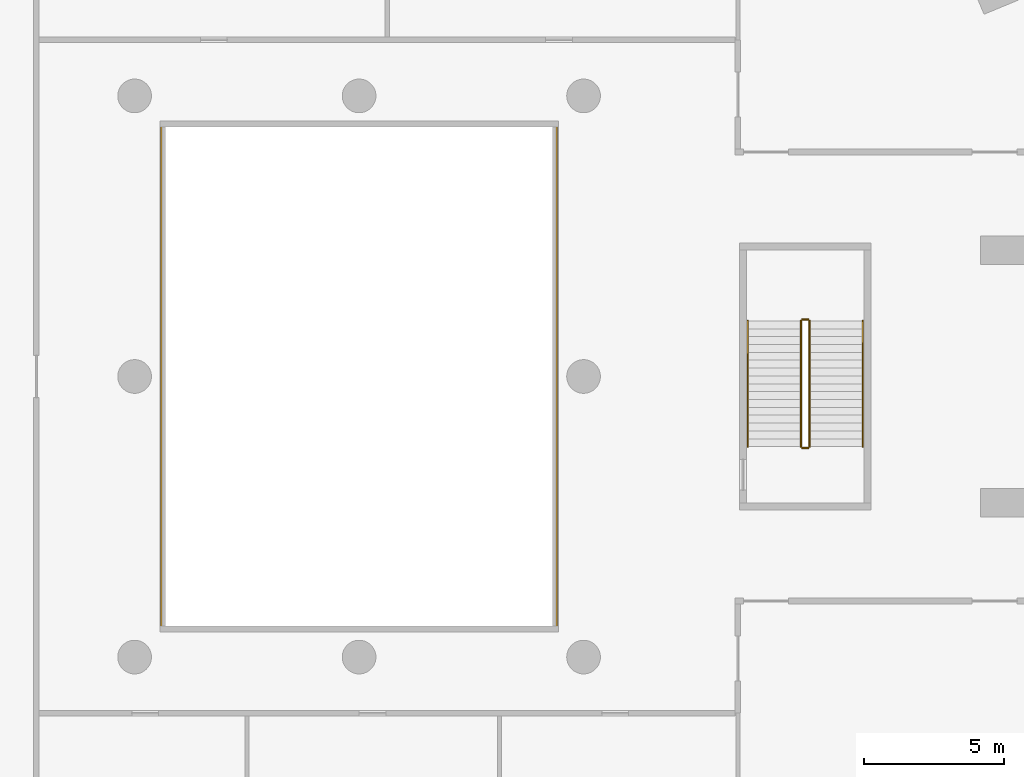
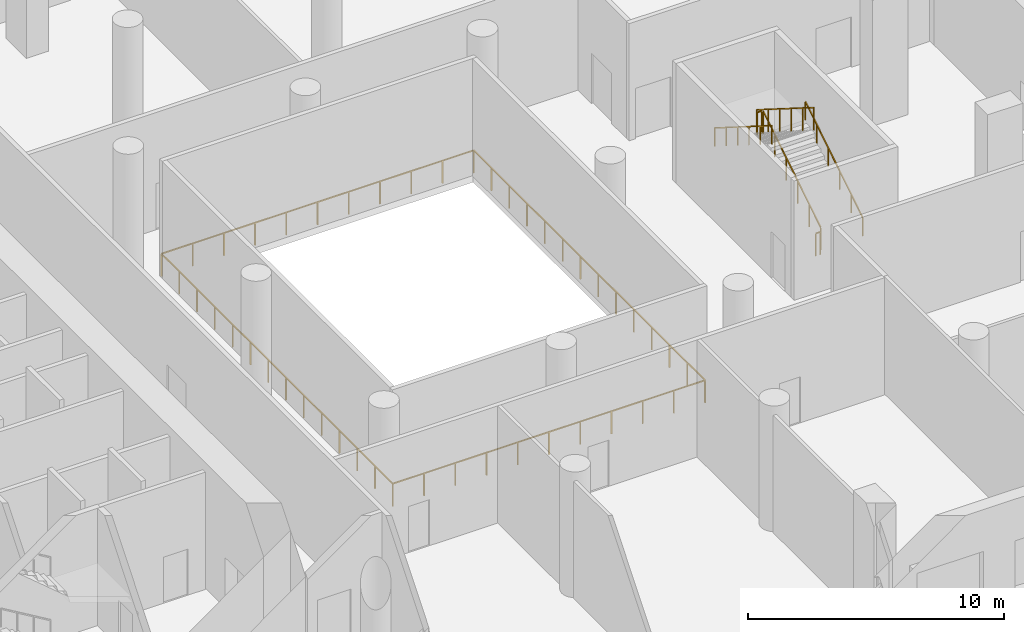
# One storey, part 17 of 19: 7 railings.
"""IFC4 building model written with IfcOpenShell, lengths in metres."""

from ifc_helpers import new_model, si_unit, direction, frame, origin, origin_2d, place, context, subcontext, project, spatial, rectangle, extrude, material, type_object, element, save


model = new_model("IFC4")

# Units and contexts
model_context = context("Model", 3, precision=1e-05, world=origin(), true_north=direction((0.0, 1.0)))
body_context = subcontext(model_context, "Body", "Model", "MODEL_VIEW")
ifc_project = project(units=[si_unit("LENGTHUNIT", "METRE"), si_unit("AREAUNIT", "SQUARE_METRE"), si_unit("VOLUMEUNIT", "CUBIC_METRE"), si_unit("PLANEANGLEUNIT", "RADIAN"), si_unit("MASSUNIT", "GRAM", prefix="KILO")], contexts=[model_context])

# Site, building, storey
site_placement = place(None, origin())
site = spatial("IfcSite", under=ifc_project, at=site_placement, CompositionType="ELEMENT")
building_placement = place(site_placement, origin())
building = spatial("IfcBuilding", under=site, at=building_placement, Name="Cypress Arch Tower", CompositionType="ELEMENT")
storey_placement = place(building_placement, frame((0.0, 0.0, 44.0)))
storey = spatial("IfcBuildingStorey", under=building, at=storey_placement, Name="L05", CompositionType="ELEMENT", Elevation=44.0)

# Railings
ifc_material_1 = material(Name="Stainless steel posts and handrail, laminated glass infill", Category="steel")
railing_type_1 = type_object("IfcRailingType", Name="Atrium guard GR1100A", PredefinedType="GUARDRAIL", material=ifc_material_1)
railing_1_placement = place(storey_placement, frame((8.050048828125, -9.050048828125, 0.0)))
element("IfcRailing", 1, at=railing_1_placement, inside=storey, type_object=railing_type_1, Name="Atrium guard L05", PredefinedType="GUARDRAIL", context=body_context, shape_type="SweptSolid", body=[
    extrude(rectangle(XDim=0.050048828125, YDim=0.050048828125, at=origin_2d()), frame((0.0, 0.0, 1.0751953125), z_axis=(-1.0, 0.0, 0.0), x_axis=(0.0, -1.0, 0.0)), (0.0, 0.0, 1.0), 14.10009765625),
    extrude(rectangle(XDim=0.050048828125, YDim=0.050048828125, at=origin_2d()), frame((-14.10009765625, 0.0, 1.0751953125), z_axis=(0.0, 1.0, 0.0), x_axis=(-1.0, 0.0, 0.0)), (0.0, 0.0, 1.0), 18.10009765625),
    extrude(rectangle(XDim=0.050048828125, YDim=0.050048828125, at=origin_2d()), frame((-14.10009765625, 18.10009765625, 1.0751953125), z_axis=(1.0, 0.0, 0.0), x_axis=(0.0, 1.0, 0.0)), (0.0, 0.0, 1.0), 14.10009765625),
    extrude(rectangle(XDim=0.050048828125, YDim=0.050048828125, at=origin_2d()), frame((0.0, 18.10009765625, 1.0751953125), z_axis=(0.0, -1.0, 0.0), x_axis=(1.0, 0.0, 0.0)), (0.0, 0.0, 1.0), 18.10009765625),
    extrude(rectangle(XDim=0.050048828125, YDim=0.050048828125, at=origin_2d()), origin(), (0.0, 0.0, 1.0), 1.050048828125),
    extrude(rectangle(XDim=0.050048828125, YDim=0.050048828125, at=origin_2d()), frame((-1.409912109375, 0.0, 0.0)), (0.0, 0.0, 1.0), 1.050048828125),
    extrude(rectangle(XDim=0.050048828125, YDim=0.050048828125, at=origin_2d()), frame((-2.820068359375, 0.0, 0.0)), (0.0, 0.0, 1.0), 1.050048828125),
    extrude(rectangle(XDim=0.050048828125, YDim=0.050048828125, at=origin_2d()), frame((-4.22998046875, 0.0, 0.0)), (0.0, 0.0, 1.0), 1.050048828125),
    extrude(rectangle(XDim=0.050048828125, YDim=0.050048828125, at=origin_2d()), frame((-5.64013671875, 0.0, 0.0)), (0.0, 0.0, 1.0), 1.050048828125),
    extrude(rectangle(XDim=0.050048828125, YDim=0.050048828125, at=origin_2d()), frame((-7.050048828125, 0.0, 0.0)), (0.0, 0.0, 1.0), 1.050048828125),
    extrude(rectangle(XDim=0.050048828125, YDim=0.050048828125, at=origin_2d()), frame((-8.4599609375, 0.0, 0.0)), (0.0, 0.0, 1.0), 1.050048828125),
    extrude(rectangle(XDim=0.050048828125, YDim=0.050048828125, at=origin_2d()), frame((-9.8701171875, 0.0, 0.0)), (0.0, 0.0, 1.0), 1.050048828125),
    extrude(rectangle(XDim=0.050048828125, YDim=0.050048828125, at=origin_2d()), frame((-11.280029296875, 0.0, 0.0)), (0.0, 0.0, 1.0), 1.050048828125),
    extrude(rectangle(XDim=0.050048828125, YDim=0.050048828125, at=origin_2d()), frame((-12.690185546875, 0.0, 0.0)), (0.0, 0.0, 1.0), 1.050048828125),
    extrude(rectangle(XDim=0.050048828125, YDim=0.050048828125, at=origin_2d()), frame((-14.10009765625, 0.0, 0.0)), (0.0, 0.0, 1.0), 1.050048828125),
    extrude(rectangle(XDim=0.050048828125, YDim=0.050048828125, at=origin_2d()), frame((-14.10009765625, 1.392333984375, 0.0)), (0.0, 0.0, 1.0), 1.050048828125),
    extrude(rectangle(XDim=0.050048828125, YDim=0.050048828125, at=origin_2d()), frame((-14.10009765625, 2.78466796875, 0.0)), (0.0, 0.0, 1.0), 1.050048828125),
    extrude(rectangle(XDim=0.050048828125, YDim=0.050048828125, at=origin_2d()), frame((-14.10009765625, 4.177001953125, 0.0)), (0.0, 0.0, 1.0), 1.050048828125),
    extrude(rectangle(XDim=0.050048828125, YDim=0.050048828125, at=origin_2d()), frame((-14.10009765625, 5.5693359375, 0.0)), (0.0, 0.0, 1.0), 1.050048828125),
    extrude(rectangle(XDim=0.050048828125, YDim=0.050048828125, at=origin_2d()), frame((-14.10009765625, 6.961669921875, 0.0)), (0.0, 0.0, 1.0), 1.050048828125),
    extrude(rectangle(XDim=0.050048828125, YDim=0.050048828125, at=origin_2d()), frame((-14.10009765625, 8.35400390625, 0.0)), (0.0, 0.0, 1.0), 1.050048828125),
    extrude(rectangle(XDim=0.050048828125, YDim=0.050048828125, at=origin_2d()), frame((-14.10009765625, 9.74609375, 0.0)), (0.0, 0.0, 1.0), 1.050048828125),
    extrude(rectangle(XDim=0.050048828125, YDim=0.050048828125, at=origin_2d()), frame((-14.10009765625, 11.138427734375, 0.0)), (0.0, 0.0, 1.0), 1.050048828125),
    extrude(rectangle(XDim=0.050048828125, YDim=0.050048828125, at=origin_2d()), frame((-14.10009765625, 12.53076171875, 0.0)), (0.0, 0.0, 1.0), 1.050048828125),
    extrude(rectangle(XDim=0.050048828125, YDim=0.050048828125, at=origin_2d()), frame((-14.10009765625, 13.923095703125, 0.0)), (0.0, 0.0, 1.0), 1.050048828125),
    extrude(rectangle(XDim=0.050048828125, YDim=0.050048828125, at=origin_2d()), frame((-14.10009765625, 15.3154296875, 0.0)), (0.0, 0.0, 1.0), 1.050048828125),
    extrude(rectangle(XDim=0.050048828125, YDim=0.050048828125, at=origin_2d()), frame((-14.10009765625, 16.707763671875, 0.0)), (0.0, 0.0, 1.0), 1.050048828125),
    extrude(rectangle(XDim=0.050048828125, YDim=0.050048828125, at=origin_2d()), frame((-14.10009765625, 18.10009765625, 0.0)), (0.0, 0.0, 1.0), 1.050048828125),
    extrude(rectangle(XDim=0.050048828125, YDim=0.050048828125, at=origin_2d()), frame((-12.690185546875, 18.10009765625, 0.0)), (0.0, 0.0, 1.0), 1.050048828125),
    extrude(rectangle(XDim=0.050048828125, YDim=0.050048828125, at=origin_2d()), frame((-11.280029296875, 18.10009765625, 0.0)), (0.0, 0.0, 1.0), 1.050048828125),
    extrude(rectangle(XDim=0.050048828125, YDim=0.050048828125, at=origin_2d()), frame((-9.8701171875, 18.10009765625, 0.0)), (0.0, 0.0, 1.0), 1.050048828125),
    extrude(rectangle(XDim=0.050048828125, YDim=0.050048828125, at=origin_2d()), frame((-8.4599609375, 18.10009765625, 0.0)), (0.0, 0.0, 1.0), 1.050048828125),
    extrude(rectangle(XDim=0.050048828125, YDim=0.050048828125, at=origin_2d()), frame((-7.050048828125, 18.10009765625, 0.0)), (0.0, 0.0, 1.0), 1.050048828125),
    extrude(rectangle(XDim=0.050048828125, YDim=0.050048828125, at=origin_2d()), frame((-5.64013671875, 18.10009765625, 0.0)), (0.0, 0.0, 1.0), 1.050048828125),
    extrude(rectangle(XDim=0.050048828125, YDim=0.050048828125, at=origin_2d()), frame((-4.22998046875, 18.10009765625, 0.0)), (0.0, 0.0, 1.0), 1.050048828125),
    extrude(rectangle(XDim=0.050048828125, YDim=0.050048828125, at=origin_2d()), frame((-2.820068359375, 18.10009765625, 0.0)), (0.0, 0.0, 1.0), 1.050048828125),
    extrude(rectangle(XDim=0.050048828125, YDim=0.050048828125, at=origin_2d()), frame((-1.409912109375, 18.10009765625, 0.0)), (0.0, 0.0, 1.0), 1.050048828125),
    extrude(rectangle(XDim=0.050048828125, YDim=0.050048828125, at=origin_2d()), frame((0.0, 18.10009765625, 0.0)), (0.0, 0.0, 1.0), 1.050048828125),
    extrude(rectangle(XDim=0.050048828125, YDim=0.050048828125, at=origin_2d()), frame((0.0, 16.707763671875, 0.0)), (0.0, 0.0, 1.0), 1.050048828125),
    extrude(rectangle(XDim=0.050048828125, YDim=0.050048828125, at=origin_2d()), frame((0.0, 15.3154296875, 0.0)), (0.0, 0.0, 1.0), 1.050048828125),
    extrude(rectangle(XDim=0.050048828125, YDim=0.050048828125, at=origin_2d()), frame((0.0, 13.923095703125, 0.0)), (0.0, 0.0, 1.0), 1.050048828125),
    extrude(rectangle(XDim=0.050048828125, YDim=0.050048828125, at=origin_2d()), frame((0.0, 12.53076171875, 0.0)), (0.0, 0.0, 1.0), 1.050048828125),
    extrude(rectangle(XDim=0.050048828125, YDim=0.050048828125, at=origin_2d()), frame((0.0, 11.138427734375, 0.0)), (0.0, 0.0, 1.0), 1.050048828125),
    extrude(rectangle(XDim=0.050048828125, YDim=0.050048828125, at=origin_2d()), frame((0.0, 9.74609375, 0.0)), (0.0, 0.0, 1.0), 1.050048828125),
    extrude(rectangle(XDim=0.050048828125, YDim=0.050048828125, at=origin_2d()), frame((0.0, 8.35400390625, 0.0)), (0.0, 0.0, 1.0), 1.050048828125),
    extrude(rectangle(XDim=0.050048828125, YDim=0.050048828125, at=origin_2d()), frame((0.0, 6.961669921875, 0.0)), (0.0, 0.0, 1.0), 1.050048828125),
    extrude(rectangle(XDim=0.050048828125, YDim=0.050048828125, at=origin_2d()), frame((0.0, 5.5693359375, 0.0)), (0.0, 0.0, 1.0), 1.050048828125),
    extrude(rectangle(XDim=0.050048828125, YDim=0.050048828125, at=origin_2d()), frame((0.0, 4.177001953125, 0.0)), (0.0, 0.0, 1.0), 1.050048828125),
    extrude(rectangle(XDim=0.050048828125, YDim=0.050048828125, at=origin_2d()), frame((0.0, 2.78466796875, 0.0)), (0.0, 0.0, 1.0), 1.050048828125),
    extrude(rectangle(XDim=0.050048828125, YDim=0.050048828125, at=origin_2d()), frame((0.0, 1.392333984375, 0.0)), (0.0, 0.0, 1.0), 1.050048828125),
])
ifc_material_2 = material(Name="Black powder-coated steel square bar 48 mm", Category="steel")
railing_type_2 = type_object("IfcRailingType", Name="Stair handrail HR1", PredefinedType="HANDRAIL", material=ifc_material_2)
railing_2_placement = place(storey_placement, frame((18.949951171875, -2.5, 0.176513671875)))
element("IfcRailing", 2, at=railing_2_placement, inside=storey, type_object=railing_type_2, Name="L05 C stair handrail 1", PredefinedType="HANDRAIL", context=body_context, shape_type="SweptSolid", body=[
    extrude(rectangle(XDim=0.048095703125, YDim=0.048095703125, at=origin_2d()), frame((0.0, 0.0, 0.8759765625), z_axis=(0.0, 0.845997938375, 0.533186166611), x_axis=(-1.0, 0.0, 0.0)), (0.0, 0.0, 1.0), 5.29541015625),
    extrude(rectangle(XDim=0.0419921875, YDim=0.0419921875, at=origin_2d()), origin(), (0.0, 0.0, 1.0), 0.851806640625),
    extrude(rectangle(XDim=0.0419921875, YDim=0.0419921875, at=origin_2d()), frame((0.0, 0.89599609375, 0.564697265625)), (0.0, 0.0, 1.0), 0.851806640625),
    extrude(rectangle(XDim=0.0419921875, YDim=0.0419921875, at=origin_2d()), frame((0.0, 1.7919921875, 1.12939453125)), (0.0, 0.0, 1.0), 0.851806640625),
    extrude(rectangle(XDim=0.0419921875, YDim=0.0419921875, at=origin_2d()), frame((0.0, 2.68798828125, 1.694091796875)), (0.0, 0.0, 1.0), 0.851806640625),
    extrude(rectangle(XDim=0.0419921875, YDim=0.0419921875, at=origin_2d()), frame((0.0, 3.583984375, 2.2587890625)), (0.0, 0.0, 1.0), 0.851806640625),
    extrude(rectangle(XDim=0.0419921875, YDim=0.0419921875, at=origin_2d()), frame((0.0, 4.47998046875, 2.823486328125)), (0.0, 0.0, 1.0), 0.851806640625),
])
railing_3_placement = place(storey_placement, frame((14.85009765625, 1.97998046875, 3.176513671875)))
element("IfcRailing", 3, at=railing_3_placement, inside=storey, type_object=railing_type_2, Name="L05 C stair handrail 2", PredefinedType="HANDRAIL", context=body_context, shape_type="SweptSolid", body=[
    extrude(rectangle(XDim=0.048095703125, YDim=0.048095703125, at=origin_2d()), frame((0.0, 0.0, 0.8759765625), z_axis=(0.0, -0.845997938375, 0.533186166611), x_axis=(1.0, 0.0, 0.0)), (0.0, 0.0, 1.0), 5.29541015625),
    extrude(rectangle(XDim=0.0419921875, YDim=0.0419921875, at=origin_2d()), origin(), (0.0, 0.0, 1.0), 0.851806640625),
    extrude(rectangle(XDim=0.0419921875, YDim=0.0419921875, at=origin_2d()), frame((0.0, -0.89599609375, 0.564697265625)), (0.0, 0.0, 1.0), 0.851806640625),
    extrude(rectangle(XDim=0.0419921875, YDim=0.0419921875, at=origin_2d()), frame((0.0, -1.7919921875, 1.12939453125)), (0.0, 0.0, 1.0), 0.851806640625),
    extrude(rectangle(XDim=0.0419921875, YDim=0.0419921875, at=origin_2d()), frame((0.0, -2.68798828125, 1.694091796875)), (0.0, 0.0, 1.0), 0.851806640625),
    extrude(rectangle(XDim=0.0419921875, YDim=0.0419921875, at=origin_2d()), frame((0.0, -3.583984375, 2.2587890625)), (0.0, 0.0, 1.0), 0.851806640625),
    extrude(rectangle(XDim=0.0419921875, YDim=0.0419921875, at=origin_2d()), frame((0.0, -4.47998046875, 2.823486328125)), (0.0, 0.0, 1.0), 0.851806640625),
])
ifc_material_3 = material(Name="Black powder-coated steel balusters", Category="steel")
railing_type_3 = type_object("IfcRailingType", Name="Stair well guard G1", PredefinedType="GUARDRAIL", material=ifc_material_3)
railing_4_placement = place(storey_placement, frame((17.050048828125, -2.5, 0.176513671875)))
element("IfcRailing", 4, at=railing_4_placement, inside=storey, type_object=railing_type_3, Name="L05 C stair guard 1", PredefinedType="GUARDRAIL", context=body_context, shape_type="SweptSolid", body=[
    extrude(rectangle(XDim=0.048095703125, YDim=0.048095703125, at=origin_2d()), frame((0.0, 0.0, 1.076171875), z_axis=(0.0, 0.845997938375, 0.533186166611), x_axis=(-1.0, 0.0, 0.0)), (0.0, 0.0, 1.0), 5.29541015625),
    extrude(rectangle(XDim=0.0419921875, YDim=0.0419921875, at=origin_2d()), origin(), (0.0, 0.0, 1.0), 1.052001953125),
    extrude(rectangle(XDim=0.0419921875, YDim=0.0419921875, at=origin_2d()), frame((0.0, 0.89599609375, 0.564697265625)), (0.0, 0.0, 1.0), 1.052001953125),
    extrude(rectangle(XDim=0.0419921875, YDim=0.0419921875, at=origin_2d()), frame((0.0, 1.7919921875, 1.12939453125)), (0.0, 0.0, 1.0), 1.052001953125),
    extrude(rectangle(XDim=0.0419921875, YDim=0.0419921875, at=origin_2d()), frame((0.0, 2.68798828125, 1.694091796875)), (0.0, 0.0, 1.0), 1.052001953125),
    extrude(rectangle(XDim=0.0419921875, YDim=0.0419921875, at=origin_2d()), frame((0.0, 3.583984375, 2.2587890625)), (0.0, 0.0, 1.0), 1.052001953125),
    extrude(rectangle(XDim=0.0419921875, YDim=0.0419921875, at=origin_2d()), frame((0.0, 4.47998046875, 2.823486328125)), (0.0, 0.0, 1.0), 1.052001953125),
])
railing_5_placement = place(storey_placement, frame((17.0, 2.030029296875, 3.0)))
element("IfcRailing", 5, at=railing_5_placement, inside=storey, type_object=railing_type_3, Name="L05 C stair guard 2", PredefinedType="GUARDRAIL", context=body_context, shape_type="SweptSolid", body=[
    extrude(rectangle(XDim=0.048095703125, YDim=0.048095703125, at=origin_2d()), frame((0.0, 0.0, 1.076171875), z_axis=(-1.0, 0.0, 0.0), x_axis=(0.0, -1.0, 0.0)), (0.0, 0.0, 1.0), 0.199951171875),
    extrude(rectangle(XDim=0.0419921875, YDim=0.0419921875, at=origin_2d()), origin(), (0.0, 0.0, 1.0), 1.052001953125),
    extrude(rectangle(XDim=0.0419921875, YDim=0.0419921875, at=origin_2d()), frame((-0.199951171875, 0.0, 0.0)), (0.0, 0.0, 1.0), 1.052001953125),
])
railing_6_placement = place(storey_placement, frame((16.75, 1.97998046875, 3.176513671875)))
element("IfcRailing", 6, at=railing_6_placement, inside=storey, type_object=railing_type_3, Name="L05 C stair guard 3", PredefinedType="GUARDRAIL", context=body_context, shape_type="SweptSolid", body=[
    extrude(rectangle(XDim=0.048095703125, YDim=0.048095703125, at=origin_2d()), frame((0.0, 0.0, 1.076171875), z_axis=(0.0, -0.845997938375, 0.533186166611), x_axis=(1.0, 0.0, 0.0)), (0.0, 0.0, 1.0), 5.29541015625),
    extrude(rectangle(XDim=0.0419921875, YDim=0.0419921875, at=origin_2d()), origin(), (0.0, 0.0, 1.0), 1.052001953125),
    extrude(rectangle(XDim=0.0419921875, YDim=0.0419921875, at=origin_2d()), frame((0.0, -0.89599609375, 0.564697265625)), (0.0, 0.0, 1.0), 1.052001953125),
    extrude(rectangle(XDim=0.0419921875, YDim=0.0419921875, at=origin_2d()), frame((0.0, -1.7919921875, 1.12939453125)), (0.0, 0.0, 1.0), 1.052001953125),
    extrude(rectangle(XDim=0.0419921875, YDim=0.0419921875, at=origin_2d()), frame((0.0, -2.68798828125, 1.694091796875)), (0.0, 0.0, 1.0), 1.052001953125),
    extrude(rectangle(XDim=0.0419921875, YDim=0.0419921875, at=origin_2d()), frame((0.0, -3.583984375, 2.2587890625)), (0.0, 0.0, 1.0), 1.052001953125),
    extrude(rectangle(XDim=0.0419921875, YDim=0.0419921875, at=origin_2d()), frame((0.0, -4.47998046875, 2.823486328125)), (0.0, 0.0, 1.0), 1.052001953125),
])
railing_7_placement = place(storey_placement, frame((17.0, -2.550048828125, 0.0)))
element("IfcRailing", 7, at=railing_7_placement, inside=storey, type_object=railing_type_3, Name="L05 C stair guard 4", PredefinedType="GUARDRAIL", context=body_context, shape_type="SweptSolid", body=[
    extrude(rectangle(XDim=0.048095703125, YDim=0.048095703125, at=origin_2d()), frame((0.0, 0.0, 1.076171875), z_axis=(-1.0, 0.0, 0.0), x_axis=(0.0, -1.0, 0.0)), (0.0, 0.0, 1.0), 0.199951171875),
    extrude(rectangle(XDim=0.0419921875, YDim=0.0419921875, at=origin_2d()), origin(), (0.0, 0.0, 1.0), 1.052001953125),
    extrude(rectangle(XDim=0.0419921875, YDim=0.0419921875, at=origin_2d()), frame((-0.199951171875, 0.0, 0.0)), (0.0, 0.0, 1.0), 1.052001953125),
])

save(model, "model.ifc")
